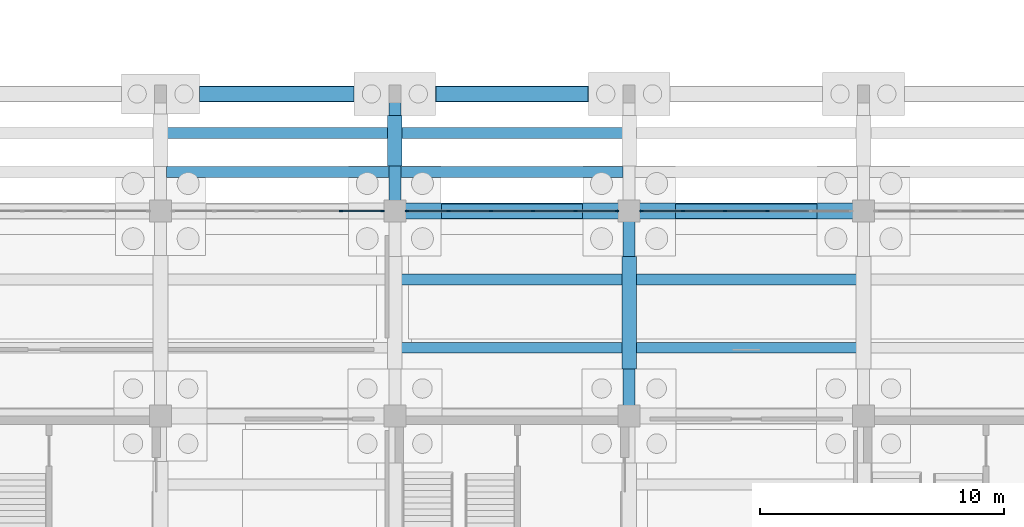
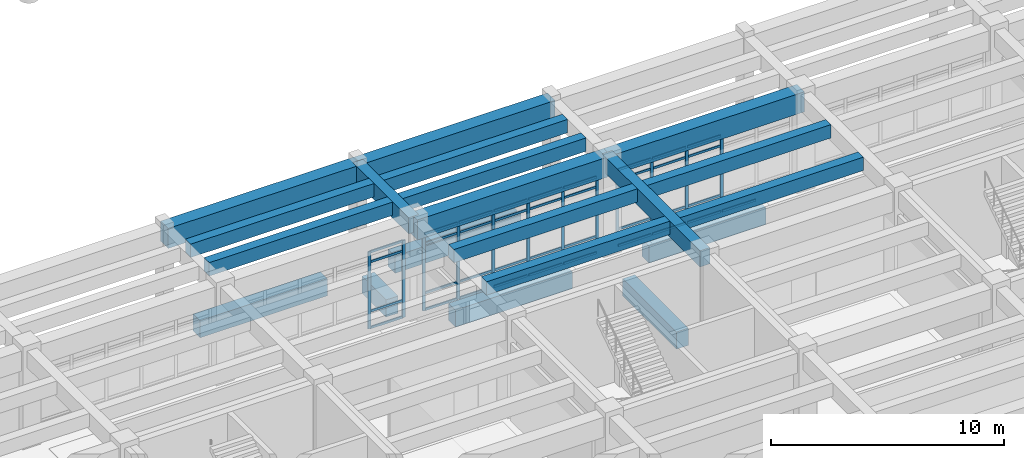
# One storey, part 26 of 102: 49 members, 20 beams, 3 elements without a shape of their own.
"""IFC4 building model written with IfcOpenShell, lengths in metres."""

from ifc_helpers import new_model, si_unit, direction, frame, origin, origin_2d, place, context, subcontext, project, spatial, rectangle, extrude, material, layer, layer_set, material_profile, profile_set, type_object, element, aggregate, save


model = new_model("IFC4")

# Units and contexts
model_context = context("Model", 3, precision=1e-05, world=origin(), true_north=direction((0.0, 1.0)))
body_context = subcontext(model_context, "Body", "Model", "MODEL_VIEW")
ifc_project = project(units=[si_unit("LENGTHUNIT", "METRE"), si_unit("AREAUNIT", "SQUARE_METRE"), si_unit("VOLUMEUNIT", "CUBIC_METRE"), si_unit("PLANEANGLEUNIT", "RADIAN"), si_unit("MASSUNIT", "GRAM", prefix="KILO")], contexts=[model_context])

# Site, building, storey
site_placement = place(None, origin())
site = spatial("IfcSite", under=ifc_project, at=site_placement, CompositionType="ELEMENT")
building_placement = place(site_placement, origin())
building = spatial("IfcBuilding", under=site, at=building_placement, Name="Kolvemor Railside Polytechnic", CompositionType="ELEMENT")
storey_placement = place(building_placement, origin())
storey = spatial("IfcBuildingStorey", under=building, at=storey_placement, Name="L00", CompositionType="ELEMENT", Elevation=0.0)

# Beams
ifc_material_1 = material(Name="Concrete C40/50", Category="concrete")
ifc_material_profile_1 = material_profile(ifc_material_1, rectangle(XDim=0.64990234375, YDim=1.050048828125, at=origin_2d()), Name="RC650x1050")
ifc_profile_set_1 = profile_set([ifc_material_profile_1], Name="Concrete C40/50")
beam_type_1 = type_object("IfcBeamType", Name="BM-RC-GIRD2", PredefinedType="BEAM", material=ifc_profile_set_1)
for number, where, z_axis, x_axis, name in (
    (1, (86.39990234375, 38.39990234375, 4.5849609375), (1.0, 0.0, 0.0), (0.0, 1.0, 0.0), "Primary Girder L01-GX 0231"),
    (2, (96.0, 38.39990234375, 4.5849609375), (1.0, 0.0, 0.0), (0.0, 1.0, 0.0), "Primary Girder L01-GX 0232"),
):
    element("IfcBeam", number, at=place(storey_placement, frame(where, z_axis=z_axis, x_axis=x_axis)), inside=storey, type_object=beam_type_1, Name=name, PredefinedType="BEAM", context=body_context, shape_type="SweptSolid", body=[
        extrude(rectangle(XDim=0.64990234375, YDim=1.050048828125, at=origin_2d()), origin(), (0.0, 0.0, 1.0), 9.60009765625),
    ])
beam_1_placement = place(storey_placement, frame((76.800048828125, 43.199951171875, 4.5849609375), z_axis=(1.0, 0.0, 0.0), x_axis=(0.0, 1.0, 0.0)))
element("IfcBeam", 3, at=beam_1_placement, inside=storey, type_object=beam_type_1, Name="Primary Girder L01-GX 1837", PredefinedType="BEAM", context=body_context, shape_type="SweptSolid", body=[
    extrude(rectangle(XDim=0.64990234375, YDim=1.050048828125, at=origin_2d()), origin(), (0.0, 0.0, 1.0), 9.599853515625),
])
beam_2_placement = place(storey_placement, frame((86.39990234375, 43.199951171875, 4.5849609375), z_axis=(1.0, 0.0, 0.0), x_axis=(0.0, 1.0, 0.0)))
element("IfcBeam", 4, at=beam_2_placement, inside=storey, type_object=beam_type_1, Name="Primary Girder L01-GX 1838", PredefinedType="BEAM", context=body_context, shape_type="SweptSolid", body=[
    extrude(rectangle(XDim=0.64990234375, YDim=1.050048828125, at=origin_2d()), origin(), (0.0, 0.0, 1.0), 9.60009765625),
])
ifc_material_2 = material(Name="Concrete C40/50", Category="concrete")
ifc_material_profile_2 = material_profile(ifc_material_2, rectangle(XDim=0.5, YDim=0.85009765625, at=origin_2d()), Name="RC500x850")
ifc_profile_set_2 = profile_set([ifc_material_profile_2], Name="Concrete C40/50")
beam_type_2 = type_object("IfcBeamType", Name="BM-RC-GIRD3", PredefinedType="BEAM", material=ifc_profile_set_2)
beam_3_placement = place(storey_placement, frame((96.0, 30.0, 4.68505859375), z_axis=(0.0, 1.0, 0.0), x_axis=(-1.0, 0.0, 0.0)))
element("IfcBeam", 5, at=beam_3_placement, inside=storey, type_object=beam_type_2, Name="Primary Girder L01-GY 0255", PredefinedType="BEAM", context=body_context, shape_type="SweptSolid", body=[
    extrude(rectangle(XDim=0.5, YDim=0.85009765625, at=origin_2d()), origin(), (0.0, 0.0, 1.0), 8.39990234375),
])
beam_4_placement = place(storey_placement, frame((86.39990234375, 38.39990234375, 4.68505859375), z_axis=(0.0, 1.0, 0.0), x_axis=(-1.0, 0.0, 0.0)))
element("IfcBeam", 6, at=beam_4_placement, inside=storey, type_object=beam_type_2, Name="Primary Girder L01-GY 1845", PredefinedType="BEAM", context=body_context, shape_type="SweptSolid", body=[
    extrude(rectangle(XDim=0.5, YDim=0.85009765625, at=origin_2d()), origin(), (0.0, 0.0, 1.0), 4.800048828125),
])
ifc_material_3 = material(Name="Concrete C40/50", Category="concrete")
ifc_material_profile_3 = material_profile(ifc_material_3, rectangle(XDim=0.449951171875, YDim=0.699951171875, at=origin_2d()), Name="RC450x700")
ifc_profile_set_3 = profile_set([ifc_material_profile_3], Name="Concrete C40/50")
beam_type_3 = type_object("IfcBeamType", Name="BM-RC-SEC2", PredefinedType="JOIST", material=ifc_profile_set_3)
for number, where, z_axis, x_axis, name in (
    (7, (86.64990234375, 32.800048828125, 4.760009765625), (1.0, 0.0, 0.0), (0.0, 1.0, 0.0), "Floor Joist L01-J0306"),
    (8, (86.64990234375, 35.60009765625, 4.760009765625), (1.0, 0.0, 0.0), (0.0, 1.0, 0.0), "Floor Joist L01-J0307"),
    (9, (96.25, 32.800048828125, 4.760009765625), (1.0, 0.0, 0.0), (0.0, 1.0, 0.0), "Floor Joist L01-J0314"),
    (10, (96.25, 35.60009765625, 4.760009765625), (1.0, 0.0, 0.0), (0.0, 1.0, 0.0), "Floor Joist L01-J0315"),
):
    element("IfcBeam", number, at=place(storey_placement, frame(where, z_axis=z_axis, x_axis=x_axis)), inside=storey, type_object=beam_type_3, Name=name, PredefinedType="JOIST", context=body_context, shape_type="SweptSolid", body=[
        extrude(rectangle(XDim=0.449951171875, YDim=0.699951171875, at=origin_2d()), origin(), (0.0, 0.0, 1.0), 9.10009765625),
    ])
for number, where, z_axis, x_axis, name in (
    (11, (77.050048828125, 40.0, 4.760009765625), (1.0, 0.0, 0.0), (0.0, 1.0, 0.0), "Floor Joist L01-J1854"),
    (12, (77.050048828125, 41.60009765625, 4.760009765625), (1.0, 0.0, 0.0), (0.0, 1.0, 0.0), "Floor Joist L01-J1855"),
):
    element("IfcBeam", number, at=place(storey_placement, frame(where, z_axis=z_axis, x_axis=x_axis)), inside=storey, type_object=beam_type_3, Name=name, PredefinedType="JOIST", context=body_context, shape_type="SweptSolid", body=[
        extrude(rectangle(XDim=0.449951171875, YDim=0.699951171875, at=origin_2d()), origin(), (0.0, 0.0, 1.0), 9.099853515625),
    ])
for number, where, z_axis, x_axis, name in (
    (13, (86.64990234375, 40.0, 4.760009765625), (1.0, 0.0, 0.0), (0.0, 1.0, 0.0), "Floor Joist L01-J1856"),
    (14, (86.64990234375, 41.60009765625, 4.760009765625), (1.0, 0.0, 0.0), (0.0, 1.0, 0.0), "Floor Joist L01-J1857"),
):
    element("IfcBeam", number, at=place(storey_placement, frame(where, z_axis=z_axis, x_axis=x_axis)), inside=storey, type_object=beam_type_3, Name=name, PredefinedType="JOIST", context=body_context, shape_type="SweptSolid", body=[
        extrude(rectangle(XDim=0.449951171875, YDim=0.699951171875, at=origin_2d()), origin(), (0.0, 0.0, 1.0), 9.10009765625),
    ])
ifc_material_4 = material(Name="Concrete C40/50", Category="concrete")
ifc_material_profile_4 = material_profile(ifc_material_4, rectangle(XDim=0.60009765625, YDim=0.89990234375, at=origin_2d()), Name="RC600x900")
ifc_profile_set_4 = profile_set([ifc_material_profile_4], Name="Concrete C40/50")
beam_type_4 = type_object("IfcBeamType", Name="BM-RC-TIE", PredefinedType="BEAM", material=ifc_profile_set_4)
for number, where, z_axis, x_axis, name in (
    (15, (88.302001953125, 38.39990234375, -0.75), (1.0, 0.0, 0.0), (0.0, 1.0, 0.0), "Ground Tie Beam GTB-X117"),
    (16, (97.902099609375, 38.39990234375, -0.75), (1.0, 0.0, 0.0), (0.0, 1.0, 0.0), "Ground Tie Beam GTB-X118"),
):
    element("IfcBeam", number, at=place(storey_placement, frame(where, z_axis=z_axis, x_axis=x_axis)), inside=storey, type_object=beam_type_4, Name=name, PredefinedType="BEAM", context=body_context, shape_type="SweptSolid", body=[
        extrude(rectangle(XDim=0.60009765625, YDim=0.89990234375, at=origin_2d()), origin(), (0.0, 0.0, 1.0), 5.7958984375),
    ])
beam_5_placement = place(storey_placement, frame((78.402099609375, 43.199951171875, -0.75), z_axis=(1.0, 0.0, 0.0), x_axis=(0.0, 1.0, 0.0)))
element("IfcBeam", 17, at=beam_5_placement, inside=storey, type_object=beam_type_4, Name="Ground Tie Beam GTB-X130", PredefinedType="BEAM", context=body_context, shape_type="SweptSolid", body=[
    extrude(rectangle(XDim=0.60009765625, YDim=0.89990234375, at=origin_2d()), origin(), (0.0, 0.0, 1.0), 6.32080078125),
])
beam_6_placement = place(storey_placement, frame((88.076904296875, 43.199951171875, -0.75), z_axis=(1.0, 0.0, 0.0), x_axis=(0.0, 1.0, 0.0)))
element("IfcBeam", 18, at=beam_6_placement, inside=storey, type_object=beam_type_4, Name="Ground Tie Beam GTB-X131", PredefinedType="BEAM", context=body_context, shape_type="SweptSolid", body=[
    extrude(rectangle(XDim=0.60009765625, YDim=0.89990234375, at=origin_2d()), origin(), (0.0, 0.0, 1.0), 6.24609375),
])
beam_7_placement = place(storey_placement, frame((86.39990234375, 40.251953125, -0.75), z_axis=(0.0, 1.0, 0.0), x_axis=(-1.0, 0.0, 0.0)))
element("IfcBeam", 19, at=beam_7_placement, inside=storey, type_object=beam_type_4, Name="Ground Tie Beam GTB-Y337", PredefinedType="BEAM", context=body_context, shape_type="SweptSolid", body=[
    extrude(rectangle(XDim=0.60009765625, YDim=0.89990234375, at=origin_2d()), origin(), (0.0, 0.0, 1.0), 2.071044921875),
])
beam_8_placement = place(storey_placement, frame((96.0, 31.927001953125, -0.75), z_axis=(0.0, 1.0, 0.0), x_axis=(-1.0, 0.0, 0.0)))
element("IfcBeam", 20, at=beam_8_placement, inside=storey, type_object=beam_type_4, Name="Ground Tie Beam GTB-Y346", PredefinedType="BEAM", context=body_context, shape_type="SweptSolid", body=[
    extrude(rectangle(XDim=0.60009765625, YDim=0.89990234375, at=origin_2d()), origin(), (0.0, 0.0, 1.0), 4.62109375),
])

# Curtain wall, members
ifc_material_5 = material(Name="Anodised marine aluminium and laminated low-E glass", Category="aluminium")
ifc_layer = layer(ifc_material_5, 0.179931640625, Name="CW-UNIT-STD")
ifc_layer_set = layer_set([ifc_layer], Name="Anodised marine aluminium and laminated low-E glass")
curtain_wall_type = type_object("IfcCurtainWallType", Name="CW-UNIT-STD", PredefinedType="USERDEFINED", material=ifc_layer_set)
curtain_wall_1_placement = place(storey_placement, origin())
curtain_wall_1 = element("IfcCurtainWall", 21, at=curtain_wall_1_placement, inside=storey, type_object=curtain_wall_type, Name="Curtain Wall L00-108", ObjectType="UNITISED CURTAIN WALL", PredefinedType="USERDEFINED")
ifc_material_6 = material(Name="Anodised marine aluminium 6063-T6", Category="aluminium")
ifc_material_profile_5 = material_profile(ifc_material_6, rectangle(XDim=0.06494140625, YDim=0.14990234375, at=origin_2d()), Name="CW-MUL-65x150")
ifc_profile_set_5 = profile_set([ifc_material_profile_5], Name="Anodised marine aluminium 6063-T6")
member_type_1 = type_object("IfcMemberType", Name="CWM-65x150", PredefinedType="MULLION", material=ifc_profile_set_5)
member_1_placement = place(storey_placement, frame((85.8974609375, 38.39990234375, 0.0), z_axis=(0.0, 0.0, 1.0), x_axis=(0.0, -1.0, 0.0)))
member_1 = element("IfcMember", 22, at=member_1_placement, type_object=member_type_1, Name="CW-STD mullion 1", PredefinedType="MULLION", context=body_context, shape_type="SweptSolid", body=[
    extrude(rectangle(XDim=0.06494140625, YDim=0.14990234375, at=origin_2d()), origin(), (0.0, 0.0, 1.0), 4.0400390625),
])
member_2_placement = place(storey_placement, frame((84.197998046875, 38.39990234375, 0.0), z_axis=(0.0, 0.0, 1.0), x_axis=(0.0, -1.0, 0.0)))
member_2 = element("IfcMember", 23, at=member_2_placement, type_object=member_type_1, Name="CW-STD mullion 2", PredefinedType="MULLION", context=body_context, shape_type="SweptSolid", body=[
    extrude(rectangle(XDim=0.06494140625, YDim=0.14990234375, at=origin_2d()), origin(), (0.0, 0.0, 1.0), 4.0400390625),
])

curtain_wall_2_placement = place(storey_placement, origin())
curtain_wall_2 = element("IfcCurtainWall", 24, at=curtain_wall_2_placement, inside=storey, type_object=curtain_wall_type, Name="Curtain Wall L00-109", ObjectType="UNITISED CURTAIN WALL", PredefinedType="USERDEFINED")
member_3_placement = place(storey_placement, frame((95.49755859375, 38.39990234375, 0.0), z_axis=(0.0, 0.0, 1.0), x_axis=(0.0, -1.0, 0.0)))
member_3 = element("IfcMember", 25, at=member_3_placement, type_object=member_type_1, Name="CW-STD mullion 1", PredefinedType="MULLION", context=body_context, shape_type="SweptSolid", body=[
    extrude(rectangle(XDim=0.06494140625, YDim=0.14990234375, at=origin_2d()), origin(), (0.0, 0.0, 1.0), 4.0400390625),
])
member_4_placement = place(storey_placement, frame((93.798095703125, 38.39990234375, 0.0), z_axis=(0.0, 0.0, 1.0), x_axis=(0.0, -1.0, 0.0)))
member_4 = element("IfcMember", 26, at=member_4_placement, type_object=member_type_1, Name="CW-STD mullion 2", PredefinedType="MULLION", context=body_context, shape_type="SweptSolid", body=[
    extrude(rectangle(XDim=0.06494140625, YDim=0.14990234375, at=origin_2d()), origin(), (0.0, 0.0, 1.0), 4.0400390625),
])
member_5_placement = place(storey_placement, frame((92.06591796875, 38.39990234375, 0.0), z_axis=(0.0, 0.0, 1.0), x_axis=(0.0, -1.0, 0.0)))
member_5 = element("IfcMember", 27, at=member_5_placement, type_object=member_type_1, Name="CW-STD mullion 3", PredefinedType="MULLION", context=body_context, shape_type="SweptSolid", body=[
    extrude(rectangle(XDim=0.06494140625, YDim=0.14990234375, at=origin_2d()), origin(), (0.0, 0.0, 1.0), 4.0400390625),
])
member_6_placement = place(storey_placement, frame((90.333984375, 38.39990234375, 0.0), z_axis=(0.0, 0.0, 1.0), x_axis=(0.0, -1.0, 0.0)))
member_6 = element("IfcMember", 28, at=member_6_placement, type_object=member_type_1, Name="CW-STD mullion 4", PredefinedType="MULLION", context=body_context, shape_type="SweptSolid", body=[
    extrude(rectangle(XDim=0.06494140625, YDim=0.14990234375, at=origin_2d()), origin(), (0.0, 0.0, 1.0), 4.0400390625),
])
member_7_placement = place(storey_placement, frame((88.60205078125, 38.39990234375, 0.0), z_axis=(0.0, 0.0, 1.0), x_axis=(0.0, -1.0, 0.0)))
member_7 = element("IfcMember", 29, at=member_7_placement, type_object=member_type_1, Name="CW-STD mullion 5", PredefinedType="MULLION", context=body_context, shape_type="SweptSolid", body=[
    extrude(rectangle(XDim=0.06494140625, YDim=0.14990234375, at=origin_2d()), origin(), (0.0, 0.0, 1.0), 4.0400390625),
])
member_8_placement = place(storey_placement, frame((86.902587890625, 38.39990234375, 0.0), z_axis=(0.0, 0.0, 1.0), x_axis=(0.0, -1.0, 0.0)))
member_8 = element("IfcMember", 30, at=member_8_placement, type_object=member_type_1, Name="CW-STD mullion 6", PredefinedType="MULLION", context=body_context, shape_type="SweptSolid", body=[
    extrude(rectangle(XDim=0.06494140625, YDim=0.14990234375, at=origin_2d()), origin(), (0.0, 0.0, 1.0), 4.0400390625),
])

curtain_wall_3_placement = place(storey_placement, origin())
curtain_wall_3 = element("IfcCurtainWall", 31, at=curtain_wall_3_placement, inside=storey, type_object=curtain_wall_type, Name="Curtain Wall L00-110", ObjectType="UNITISED CURTAIN WALL", PredefinedType="USERDEFINED")
member_9_placement = place(storey_placement, frame((101.666015625, 38.39990234375, 0.0), z_axis=(0.0, 0.0, 1.0), x_axis=(0.0, -1.0, 0.0)))
member_9 = element("IfcMember", 32, at=member_9_placement, type_object=member_type_1, Name="CW-STD mullion 3", PredefinedType="MULLION", context=body_context, shape_type="SweptSolid", body=[
    extrude(rectangle(XDim=0.06494140625, YDim=0.14990234375, at=origin_2d()), origin(), (0.0, 0.0, 1.0), 4.0400390625),
])
member_10_placement = place(storey_placement, frame((99.93408203125, 38.39990234375, 0.0), z_axis=(0.0, 0.0, 1.0), x_axis=(0.0, -1.0, 0.0)))
member_10 = element("IfcMember", 33, at=member_10_placement, type_object=member_type_1, Name="CW-STD mullion 4", PredefinedType="MULLION", context=body_context, shape_type="SweptSolid", body=[
    extrude(rectangle(XDim=0.06494140625, YDim=0.14990234375, at=origin_2d()), origin(), (0.0, 0.0, 1.0), 4.0400390625),
])
member_11_placement = place(storey_placement, frame((98.201904296875, 38.39990234375, 0.0), z_axis=(0.0, 0.0, 1.0), x_axis=(0.0, -1.0, 0.0)))
member_11 = element("IfcMember", 34, at=member_11_placement, type_object=member_type_1, Name="CW-STD mullion 5", PredefinedType="MULLION", context=body_context, shape_type="SweptSolid", body=[
    extrude(rectangle(XDim=0.06494140625, YDim=0.14990234375, at=origin_2d()), origin(), (0.0, 0.0, 1.0), 4.0400390625),
])
member_12_placement = place(storey_placement, frame((96.50244140625, 38.39990234375, 0.0), z_axis=(0.0, 0.0, 1.0), x_axis=(0.0, -1.0, 0.0)))
member_12 = element("IfcMember", 35, at=member_12_placement, type_object=member_type_1, Name="CW-STD mullion 6", PredefinedType="MULLION", context=body_context, shape_type="SweptSolid", body=[
    extrude(rectangle(XDim=0.06494140625, YDim=0.14990234375, at=origin_2d()), origin(), (0.0, 0.0, 1.0), 4.0400390625),
])

# Member
ifc_material_7 = material(Name="Anodised marine aluminium 6063-T6", Category="aluminium")
ifc_material_profile_6 = material_profile(ifc_material_7, rectangle(XDim=0.06494140625, YDim=0.1201171875, at=origin_2d()), Name="CW-TRN-65x120")
ifc_profile_set_6 = profile_set([ifc_material_profile_6], Name="Anodised marine aluminium 6063-T6")
member_type_2 = type_object("IfcMemberType", Name="CWT-65x120", PredefinedType="USERDEFINED", material=ifc_profile_set_6)
member_13_placement = place(storey_placement, frame((85.864990234375, 38.39990234375, 0.032470703125), z_axis=(-1.0, 0.0, 0.0), x_axis=(0.0, -1.0, 0.0)))
member_13 = element("IfcMember", 36, at=member_13_placement, type_object=member_type_2, Name="CW-STD transom 1.1", ObjectType="TRANSOM", PredefinedType="USERDEFINED", context=body_context, shape_type="SweptSolid", body=[
    extrude(rectangle(XDim=0.06494140625, YDim=0.1201171875, at=origin_2d()), origin(), (0.0, 0.0, 1.0), 1.634521484375),
])

member_14_placement = place(storey_placement, frame((85.864990234375, 38.39990234375, 0.89990234375), z_axis=(-1.0, 0.0, 0.0), x_axis=(0.0, -1.0, 0.0)))
member_14 = element("IfcMember", 37, at=member_14_placement, type_object=member_type_2, Name="CW-STD transom 1.2", ObjectType="TRANSOM", PredefinedType="USERDEFINED", context=body_context, shape_type="SweptSolid", body=[
    extrude(rectangle(XDim=0.06494140625, YDim=0.1201171875, at=origin_2d()), origin(), (0.0, 0.0, 1.0), 1.634521484375),
])

member_15_placement = place(storey_placement, frame((85.864990234375, 38.39990234375, 3.489990234375), z_axis=(-1.0, 0.0, 0.0), x_axis=(0.0, -1.0, 0.0)))
member_15 = element("IfcMember", 38, at=member_15_placement, type_object=member_type_2, Name="CW-STD transom 1.3", ObjectType="TRANSOM", PredefinedType="USERDEFINED", context=body_context, shape_type="SweptSolid", body=[
    extrude(rectangle(XDim=0.06494140625, YDim=0.1201171875, at=origin_2d()), origin(), (0.0, 0.0, 1.0), 1.634521484375),
])

member_16_placement = place(storey_placement, frame((85.864990234375, 38.39990234375, 4.007568359375), z_axis=(-1.0, 0.0, 0.0), x_axis=(0.0, -1.0, 0.0)))
member_16 = element("IfcMember", 39, at=member_16_placement, type_object=member_type_2, Name="CW-STD transom 1.4", ObjectType="TRANSOM", PredefinedType="USERDEFINED", context=body_context, shape_type="SweptSolid", body=[
    extrude(rectangle(XDim=0.06494140625, YDim=0.1201171875, at=origin_2d()), origin(), (0.0, 0.0, 1.0), 1.634521484375),
])

aggregate(curtain_wall_1, [member_1, member_2, member_13, member_14, member_15, member_16])

member_17_placement = place(storey_placement, frame((95.465087890625, 38.39990234375, 0.032470703125), z_axis=(-1.0, 0.0, 0.0), x_axis=(0.0, -1.0, 0.0)))
member_17 = element("IfcMember", 40, at=member_17_placement, type_object=member_type_2, Name="CW-STD transom 1.1", ObjectType="TRANSOM", PredefinedType="USERDEFINED", context=body_context, shape_type="SweptSolid", body=[
    extrude(rectangle(XDim=0.06494140625, YDim=0.1201171875, at=origin_2d()), origin(), (0.0, 0.0, 1.0), 1.634521484375),
])

member_18_placement = place(storey_placement, frame((95.465087890625, 38.39990234375, 0.89990234375), z_axis=(-1.0, 0.0, 0.0), x_axis=(0.0, -1.0, 0.0)))
member_18 = element("IfcMember", 41, at=member_18_placement, type_object=member_type_2, Name="CW-STD transom 1.2", ObjectType="TRANSOM", PredefinedType="USERDEFINED", context=body_context, shape_type="SweptSolid", body=[
    extrude(rectangle(XDim=0.06494140625, YDim=0.1201171875, at=origin_2d()), origin(), (0.0, 0.0, 1.0), 1.634521484375),
])

member_19_placement = place(storey_placement, frame((95.465087890625, 38.39990234375, 3.489990234375), z_axis=(-1.0, 0.0, 0.0), x_axis=(0.0, -1.0, 0.0)))
member_19 = element("IfcMember", 42, at=member_19_placement, type_object=member_type_2, Name="CW-STD transom 1.3", ObjectType="TRANSOM", PredefinedType="USERDEFINED", context=body_context, shape_type="SweptSolid", body=[
    extrude(rectangle(XDim=0.06494140625, YDim=0.1201171875, at=origin_2d()), origin(), (0.0, 0.0, 1.0), 1.634521484375),
])

member_20_placement = place(storey_placement, frame((95.465087890625, 38.39990234375, 4.007568359375), z_axis=(-1.0, 0.0, 0.0), x_axis=(0.0, -1.0, 0.0)))
member_20 = element("IfcMember", 43, at=member_20_placement, type_object=member_type_2, Name="CW-STD transom 1.4", ObjectType="TRANSOM", PredefinedType="USERDEFINED", context=body_context, shape_type="SweptSolid", body=[
    extrude(rectangle(XDim=0.06494140625, YDim=0.1201171875, at=origin_2d()), origin(), (0.0, 0.0, 1.0), 1.634521484375),
])

member_21_placement = place(storey_placement, frame((93.765380859375, 38.39990234375, 0.032470703125), z_axis=(-1.0, 0.0, 0.0), x_axis=(0.0, -1.0, 0.0)))
member_21 = element("IfcMember", 44, at=member_21_placement, type_object=member_type_2, Name="CW-STD transom 2.1", ObjectType="TRANSOM", PredefinedType="USERDEFINED", context=body_context, shape_type="SweptSolid", body=[
    extrude(rectangle(XDim=0.06494140625, YDim=0.1201171875, at=origin_2d()), origin(), (0.0, 0.0, 1.0), 1.6669921875),
])

member_22_placement = place(storey_placement, frame((93.765380859375, 38.39990234375, 0.89990234375), z_axis=(-1.0, 0.0, 0.0), x_axis=(0.0, -1.0, 0.0)))
member_22 = element("IfcMember", 45, at=member_22_placement, type_object=member_type_2, Name="CW-STD transom 2.2", ObjectType="TRANSOM", PredefinedType="USERDEFINED", context=body_context, shape_type="SweptSolid", body=[
    extrude(rectangle(XDim=0.06494140625, YDim=0.1201171875, at=origin_2d()), origin(), (0.0, 0.0, 1.0), 1.6669921875),
])

member_23_placement = place(storey_placement, frame((93.765380859375, 38.39990234375, 3.489990234375), z_axis=(-1.0, 0.0, 0.0), x_axis=(0.0, -1.0, 0.0)))
member_23 = element("IfcMember", 46, at=member_23_placement, type_object=member_type_2, Name="CW-STD transom 2.3", ObjectType="TRANSOM", PredefinedType="USERDEFINED", context=body_context, shape_type="SweptSolid", body=[
    extrude(rectangle(XDim=0.06494140625, YDim=0.1201171875, at=origin_2d()), origin(), (0.0, 0.0, 1.0), 1.6669921875),
])

member_24_placement = place(storey_placement, frame((93.765380859375, 38.39990234375, 4.007568359375), z_axis=(-1.0, 0.0, 0.0), x_axis=(0.0, -1.0, 0.0)))
member_24 = element("IfcMember", 47, at=member_24_placement, type_object=member_type_2, Name="CW-STD transom 2.4", ObjectType="TRANSOM", PredefinedType="USERDEFINED", context=body_context, shape_type="SweptSolid", body=[
    extrude(rectangle(XDim=0.06494140625, YDim=0.1201171875, at=origin_2d()), origin(), (0.0, 0.0, 1.0), 1.6669921875),
])

member_25_placement = place(storey_placement, frame((92.033447265625, 38.39990234375, 0.032470703125), z_axis=(-1.0, 0.0, 0.0), x_axis=(0.0, -1.0, 0.0)))
member_25 = element("IfcMember", 48, at=member_25_placement, type_object=member_type_2, Name="CW-STD transom 3.1", ObjectType="TRANSOM", PredefinedType="USERDEFINED", context=body_context, shape_type="SweptSolid", body=[
    extrude(rectangle(XDim=0.06494140625, YDim=0.1201171875, at=origin_2d()), origin(), (0.0, 0.0, 1.0), 1.6669921875),
])

member_26_placement = place(storey_placement, frame((92.033447265625, 38.39990234375, 0.89990234375), z_axis=(-1.0, 0.0, 0.0), x_axis=(0.0, -1.0, 0.0)))
member_26 = element("IfcMember", 49, at=member_26_placement, type_object=member_type_2, Name="CW-STD transom 3.2", ObjectType="TRANSOM", PredefinedType="USERDEFINED", context=body_context, shape_type="SweptSolid", body=[
    extrude(rectangle(XDim=0.06494140625, YDim=0.1201171875, at=origin_2d()), origin(), (0.0, 0.0, 1.0), 1.6669921875),
])

member_27_placement = place(storey_placement, frame((92.033447265625, 38.39990234375, 3.489990234375), z_axis=(-1.0, 0.0, 0.0), x_axis=(0.0, -1.0, 0.0)))
member_27 = element("IfcMember", 50, at=member_27_placement, type_object=member_type_2, Name="CW-STD transom 3.3", ObjectType="TRANSOM", PredefinedType="USERDEFINED", context=body_context, shape_type="SweptSolid", body=[
    extrude(rectangle(XDim=0.06494140625, YDim=0.1201171875, at=origin_2d()), origin(), (0.0, 0.0, 1.0), 1.6669921875),
])

member_28_placement = place(storey_placement, frame((92.033447265625, 38.39990234375, 4.007568359375), z_axis=(-1.0, 0.0, 0.0), x_axis=(0.0, -1.0, 0.0)))
member_28 = element("IfcMember", 51, at=member_28_placement, type_object=member_type_2, Name="CW-STD transom 3.4", ObjectType="TRANSOM", PredefinedType="USERDEFINED", context=body_context, shape_type="SweptSolid", body=[
    extrude(rectangle(XDim=0.06494140625, YDim=0.1201171875, at=origin_2d()), origin(), (0.0, 0.0, 1.0), 1.6669921875),
])

member_29_placement = place(storey_placement, frame((90.301513671875, 38.39990234375, 0.032470703125), z_axis=(-1.0, 0.0, 0.0), x_axis=(0.0, -1.0, 0.0)))
member_29 = element("IfcMember", 52, at=member_29_placement, type_object=member_type_2, Name="CW-STD transom 4.1", ObjectType="TRANSOM", PredefinedType="USERDEFINED", context=body_context, shape_type="SweptSolid", body=[
    extrude(rectangle(XDim=0.06494140625, YDim=0.1201171875, at=origin_2d()), origin(), (0.0, 0.0, 1.0), 1.6669921875),
])

member_30_placement = place(storey_placement, frame((90.301513671875, 38.39990234375, 0.89990234375), z_axis=(-1.0, 0.0, 0.0), x_axis=(0.0, -1.0, 0.0)))
member_30 = element("IfcMember", 53, at=member_30_placement, type_object=member_type_2, Name="CW-STD transom 4.2", ObjectType="TRANSOM", PredefinedType="USERDEFINED", context=body_context, shape_type="SweptSolid", body=[
    extrude(rectangle(XDim=0.06494140625, YDim=0.1201171875, at=origin_2d()), origin(), (0.0, 0.0, 1.0), 1.6669921875),
])

member_31_placement = place(storey_placement, frame((90.301513671875, 38.39990234375, 3.489990234375), z_axis=(-1.0, 0.0, 0.0), x_axis=(0.0, -1.0, 0.0)))
member_31 = element("IfcMember", 54, at=member_31_placement, type_object=member_type_2, Name="CW-STD transom 4.3", ObjectType="TRANSOM", PredefinedType="USERDEFINED", context=body_context, shape_type="SweptSolid", body=[
    extrude(rectangle(XDim=0.06494140625, YDim=0.1201171875, at=origin_2d()), origin(), (0.0, 0.0, 1.0), 1.6669921875),
])

member_32_placement = place(storey_placement, frame((90.301513671875, 38.39990234375, 4.007568359375), z_axis=(-1.0, 0.0, 0.0), x_axis=(0.0, -1.0, 0.0)))
member_32 = element("IfcMember", 55, at=member_32_placement, type_object=member_type_2, Name="CW-STD transom 4.4", ObjectType="TRANSOM", PredefinedType="USERDEFINED", context=body_context, shape_type="SweptSolid", body=[
    extrude(rectangle(XDim=0.06494140625, YDim=0.1201171875, at=origin_2d()), origin(), (0.0, 0.0, 1.0), 1.6669921875),
])

member_33_placement = place(storey_placement, frame((88.569580078125, 38.39990234375, 0.032470703125), z_axis=(-1.0, 0.0, 0.0), x_axis=(0.0, -1.0, 0.0)))
member_33 = element("IfcMember", 56, at=member_33_placement, type_object=member_type_2, Name="CW-STD transom 5.1", ObjectType="TRANSOM", PredefinedType="USERDEFINED", context=body_context, shape_type="SweptSolid", body=[
    extrude(rectangle(XDim=0.06494140625, YDim=0.1201171875, at=origin_2d()), origin(), (0.0, 0.0, 1.0), 1.634521484375),
])

member_34_placement = place(storey_placement, frame((88.569580078125, 38.39990234375, 0.89990234375), z_axis=(-1.0, 0.0, 0.0), x_axis=(0.0, -1.0, 0.0)))
member_34 = element("IfcMember", 57, at=member_34_placement, type_object=member_type_2, Name="CW-STD transom 5.2", ObjectType="TRANSOM", PredefinedType="USERDEFINED", context=body_context, shape_type="SweptSolid", body=[
    extrude(rectangle(XDim=0.06494140625, YDim=0.1201171875, at=origin_2d()), origin(), (0.0, 0.0, 1.0), 1.634521484375),
])

member_35_placement = place(storey_placement, frame((88.569580078125, 38.39990234375, 3.489990234375), z_axis=(-1.0, 0.0, 0.0), x_axis=(0.0, -1.0, 0.0)))
member_35 = element("IfcMember", 58, at=member_35_placement, type_object=member_type_2, Name="CW-STD transom 5.3", ObjectType="TRANSOM", PredefinedType="USERDEFINED", context=body_context, shape_type="SweptSolid", body=[
    extrude(rectangle(XDim=0.06494140625, YDim=0.1201171875, at=origin_2d()), origin(), (0.0, 0.0, 1.0), 1.634521484375),
])

member_36_placement = place(storey_placement, frame((88.569580078125, 38.39990234375, 4.007568359375), z_axis=(-1.0, 0.0, 0.0), x_axis=(0.0, -1.0, 0.0)))
member_36 = element("IfcMember", 59, at=member_36_placement, type_object=member_type_2, Name="CW-STD transom 5.4", ObjectType="TRANSOM", PredefinedType="USERDEFINED", context=body_context, shape_type="SweptSolid", body=[
    extrude(rectangle(XDim=0.06494140625, YDim=0.1201171875, at=origin_2d()), origin(), (0.0, 0.0, 1.0), 1.634521484375),
])

aggregate(curtain_wall_2, [member_3, member_4, member_5, member_6, member_7, member_8, member_17, member_18, member_19, member_20, member_21, member_22, member_23, member_24, member_25, member_26, member_27, member_28, member_29, member_30, member_31, member_32, member_33, member_34, member_35, member_36])

member_37_placement = place(storey_placement, frame((103.365478515625, 38.39990234375, 0.032470703125), z_axis=(-1.0, 0.0, 0.0), x_axis=(0.0, -1.0, 0.0)))
member_37 = element("IfcMember", 60, at=member_37_placement, type_object=member_type_2, Name="CW-STD transom 2.1", ObjectType="TRANSOM", PredefinedType="USERDEFINED", context=body_context, shape_type="SweptSolid", body=[
    extrude(rectangle(XDim=0.06494140625, YDim=0.1201171875, at=origin_2d()), origin(), (0.0, 0.0, 1.0), 1.6669921875),
])

member_38_placement = place(storey_placement, frame((101.633544921875, 38.39990234375, 0.032470703125), z_axis=(-1.0, 0.0, 0.0), x_axis=(0.0, -1.0, 0.0)))
member_38 = element("IfcMember", 61, at=member_38_placement, type_object=member_type_2, Name="CW-STD transom 3.1", ObjectType="TRANSOM", PredefinedType="USERDEFINED", context=body_context, shape_type="SweptSolid", body=[
    extrude(rectangle(XDim=0.06494140625, YDim=0.1201171875, at=origin_2d()), origin(), (0.0, 0.0, 1.0), 1.6669921875),
])

member_39_placement = place(storey_placement, frame((101.633544921875, 38.39990234375, 0.89990234375), z_axis=(-1.0, 0.0, 0.0), x_axis=(0.0, -1.0, 0.0)))
member_39 = element("IfcMember", 62, at=member_39_placement, type_object=member_type_2, Name="CW-STD transom 3.2", ObjectType="TRANSOM", PredefinedType="USERDEFINED", context=body_context, shape_type="SweptSolid", body=[
    extrude(rectangle(XDim=0.06494140625, YDim=0.1201171875, at=origin_2d()), origin(), (0.0, 0.0, 1.0), 1.6669921875),
])

member_40_placement = place(storey_placement, frame((101.633544921875, 38.39990234375, 3.489990234375), z_axis=(-1.0, 0.0, 0.0), x_axis=(0.0, -1.0, 0.0)))
member_40 = element("IfcMember", 63, at=member_40_placement, type_object=member_type_2, Name="CW-STD transom 3.3", ObjectType="TRANSOM", PredefinedType="USERDEFINED", context=body_context, shape_type="SweptSolid", body=[
    extrude(rectangle(XDim=0.06494140625, YDim=0.1201171875, at=origin_2d()), origin(), (0.0, 0.0, 1.0), 1.6669921875),
])

member_41_placement = place(storey_placement, frame((101.633544921875, 38.39990234375, 4.007568359375), z_axis=(-1.0, 0.0, 0.0), x_axis=(0.0, -1.0, 0.0)))
member_41 = element("IfcMember", 64, at=member_41_placement, type_object=member_type_2, Name="CW-STD transom 3.4", ObjectType="TRANSOM", PredefinedType="USERDEFINED", context=body_context, shape_type="SweptSolid", body=[
    extrude(rectangle(XDim=0.06494140625, YDim=0.1201171875, at=origin_2d()), origin(), (0.0, 0.0, 1.0), 1.6669921875),
])

member_42_placement = place(storey_placement, frame((99.901611328125, 38.39990234375, 0.032470703125), z_axis=(-1.0, 0.0, 0.0), x_axis=(0.0, -1.0, 0.0)))
member_42 = element("IfcMember", 65, at=member_42_placement, type_object=member_type_2, Name="CW-STD transom 4.1", ObjectType="TRANSOM", PredefinedType="USERDEFINED", context=body_context, shape_type="SweptSolid", body=[
    extrude(rectangle(XDim=0.06494140625, YDim=0.1201171875, at=origin_2d()), origin(), (0.0, 0.0, 1.0), 1.6669921875),
])

member_43_placement = place(storey_placement, frame((99.901611328125, 38.39990234375, 0.89990234375), z_axis=(-1.0, 0.0, 0.0), x_axis=(0.0, -1.0, 0.0)))
member_43 = element("IfcMember", 66, at=member_43_placement, type_object=member_type_2, Name="CW-STD transom 4.2", ObjectType="TRANSOM", PredefinedType="USERDEFINED", context=body_context, shape_type="SweptSolid", body=[
    extrude(rectangle(XDim=0.06494140625, YDim=0.1201171875, at=origin_2d()), origin(), (0.0, 0.0, 1.0), 1.6669921875),
])

member_44_placement = place(storey_placement, frame((99.901611328125, 38.39990234375, 3.489990234375), z_axis=(-1.0, 0.0, 0.0), x_axis=(0.0, -1.0, 0.0)))
member_44 = element("IfcMember", 67, at=member_44_placement, type_object=member_type_2, Name="CW-STD transom 4.3", ObjectType="TRANSOM", PredefinedType="USERDEFINED", context=body_context, shape_type="SweptSolid", body=[
    extrude(rectangle(XDim=0.06494140625, YDim=0.1201171875, at=origin_2d()), origin(), (0.0, 0.0, 1.0), 1.6669921875),
])

member_45_placement = place(storey_placement, frame((99.901611328125, 38.39990234375, 4.007568359375), z_axis=(-1.0, 0.0, 0.0), x_axis=(0.0, -1.0, 0.0)))
member_45 = element("IfcMember", 68, at=member_45_placement, type_object=member_type_2, Name="CW-STD transom 4.4", ObjectType="TRANSOM", PredefinedType="USERDEFINED", context=body_context, shape_type="SweptSolid", body=[
    extrude(rectangle(XDim=0.06494140625, YDim=0.1201171875, at=origin_2d()), origin(), (0.0, 0.0, 1.0), 1.6669921875),
])

member_46_placement = place(storey_placement, frame((98.16943359375, 38.39990234375, 0.032470703125), z_axis=(-1.0, 0.0, 0.0), x_axis=(0.0, -1.0, 0.0)))
member_46 = element("IfcMember", 69, at=member_46_placement, type_object=member_type_2, Name="CW-STD transom 5.1", ObjectType="TRANSOM", PredefinedType="USERDEFINED", context=body_context, shape_type="SweptSolid", body=[
    extrude(rectangle(XDim=0.06494140625, YDim=0.1201171875, at=origin_2d()), origin(), (0.0, 0.0, 1.0), 1.634521484375),
])

member_47_placement = place(storey_placement, frame((98.16943359375, 38.39990234375, 0.89990234375), z_axis=(-1.0, 0.0, 0.0), x_axis=(0.0, -1.0, 0.0)))
member_47 = element("IfcMember", 70, at=member_47_placement, type_object=member_type_2, Name="CW-STD transom 5.2", ObjectType="TRANSOM", PredefinedType="USERDEFINED", context=body_context, shape_type="SweptSolid", body=[
    extrude(rectangle(XDim=0.06494140625, YDim=0.1201171875, at=origin_2d()), origin(), (0.0, 0.0, 1.0), 1.634521484375),
])

member_48_placement = place(storey_placement, frame((98.16943359375, 38.39990234375, 3.489990234375), z_axis=(-1.0, 0.0, 0.0), x_axis=(0.0, -1.0, 0.0)))
member_48 = element("IfcMember", 71, at=member_48_placement, type_object=member_type_2, Name="CW-STD transom 5.3", ObjectType="TRANSOM", PredefinedType="USERDEFINED", context=body_context, shape_type="SweptSolid", body=[
    extrude(rectangle(XDim=0.06494140625, YDim=0.1201171875, at=origin_2d()), origin(), (0.0, 0.0, 1.0), 1.634521484375),
])

member_49_placement = place(storey_placement, frame((98.16943359375, 38.39990234375, 4.007568359375), z_axis=(-1.0, 0.0, 0.0), x_axis=(0.0, -1.0, 0.0)))
member_49 = element("IfcMember", 72, at=member_49_placement, type_object=member_type_2, Name="CW-STD transom 5.4", ObjectType="TRANSOM", PredefinedType="USERDEFINED", context=body_context, shape_type="SweptSolid", body=[
    extrude(rectangle(XDim=0.06494140625, YDim=0.1201171875, at=origin_2d()), origin(), (0.0, 0.0, 1.0), 1.634521484375),
])

aggregate(curtain_wall_3, [member_9, member_10, member_11, member_12, member_37, member_38, member_39, member_40, member_41, member_42, member_43, member_44, member_45, member_46, member_47, member_48, member_49])

save(model, "model.ifc")
